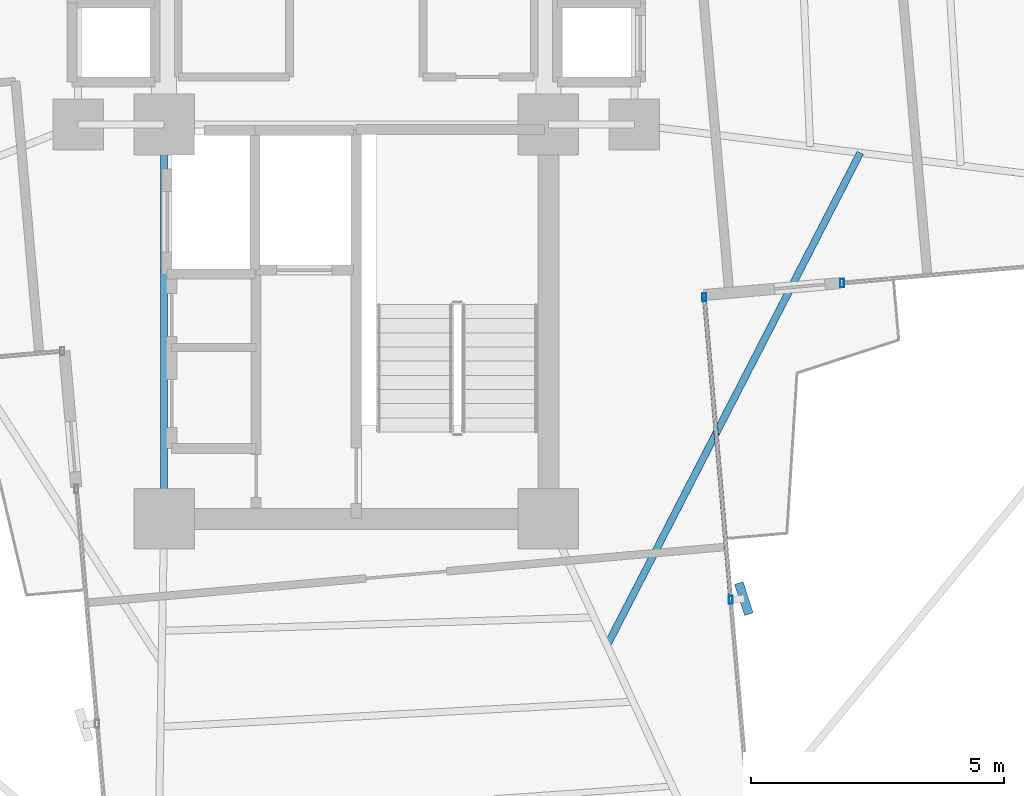
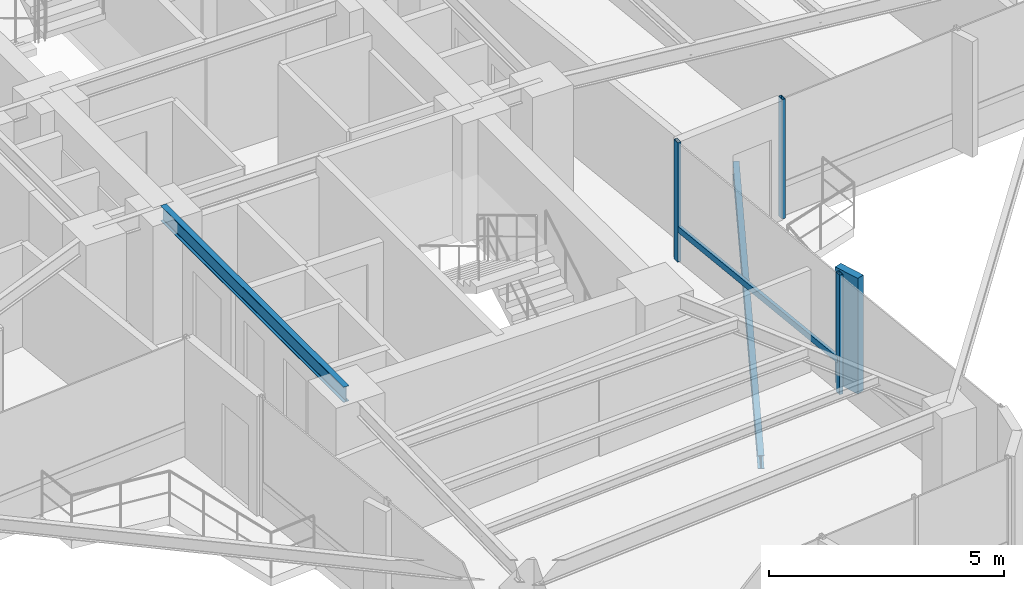
# One storey, part 7 of 24: 5 members, 2 beams, 2 elements without a shape of their own.
"""IFC4 building model written with IfcOpenShell, lengths in metres."""

from ifc_helpers import new_model, si_unit, direction, frame, origin, origin_2d, place, context, subcontext, project, spatial, rectangle, hollow_rectangle, i_section, extrude, source, transform, mapped, material, material_profile, profile_set, type_object, element, aggregate, save


model = new_model("IFC4")

# Units and contexts
model_context = context("Model", 3, precision=1e-05, world=origin(), true_north=direction((0.0, 1.0)))
body_context = subcontext(model_context, "Body", "Model", "MODEL_VIEW")
ifc_project = project(units=[si_unit("LENGTHUNIT", "METRE"), si_unit("AREAUNIT", "SQUARE_METRE"), si_unit("VOLUMEUNIT", "CUBIC_METRE"), si_unit("PLANEANGLEUNIT", "RADIAN"), si_unit("MASSUNIT", "GRAM", prefix="KILO")], contexts=[model_context])

# Site, building, storey
site_placement = place(None, origin())
site = spatial("IfcSite", under=ifc_project, at=site_placement, CompositionType="ELEMENT")
building_placement = place(site_placement, origin())
building = spatial("IfcBuilding", under=site, at=building_placement, Name="Sahyath Konkavel Grand Hotel", CompositionType="ELEMENT")
storey_placement = place(building_placement, frame((0.0, 0.0, 178.550048828125)))
storey = spatial("IfcBuildingStorey", under=building, at=storey_placement, Name="L49", CompositionType="ELEMENT", Elevation=178.550048828125)

# Beam
ifc_material_1 = material(Name="Steel E350", Category="steel")
ifc_material_profile_1 = material_profile(ifc_material_1, i_section(OverallWidth=0.139892578125, OverallDepth=0.39990234375, WebThickness=0.0087890625, FlangeThickness=0.01611328125, FilletRadius=0.013916015625, at=origin_2d()), Name="ISMB 400")
ifc_profile_set_1 = profile_set([ifc_material_profile_1], Name="Steel E350")
beam_type_1 = type_object("IfcBeamType", Name="BM-ISMB400", PredefinedType="BEAM", material=ifc_profile_set_1)
shared_shape_1 = source(origin(), body_context, "Body", "SweptSolid", [
    extrude(i_section(OverallWidth=0.139892578125, OverallDepth=0.39990234375, WebThickness=0.0087890625, FlangeThickness=0.01611328125, FilletRadius=0.013916015625, at=origin_2d()), origin(), (0.0, 0.0, 1.0), 7.800048828125),
])
beam_1_placement = place(storey_placement, frame((-3.800048828125, -10.199951171875, 2.909912109375), z_axis=(0.0, 1.0, 0.0), x_axis=(-1.0, 0.0, 0.0)))
element("IfcBeam", 1, at=beam_1_placement, inside=storey, type_object=beam_type_1, Name="str:bm:L49:SC-W", PredefinedType="BEAM", context=body_context, shape_type="MappedRepresentation", body=[
    mapped(shared_shape_1, transform((0.0, 0.0, 0.0), scale=1.0)),
])

# Curtain wall, member
ifc_material_2 = material(Name="Anodised Bronze Aluminium & Low-E Glazing", Category="aluminium")
curtain_wall_type = type_object("IfcCurtainWallType", Name="CW-ZONE3", PredefinedType="NOTDEFINED", material=ifc_material_2)
curtain_wall_1_placement = place(storey_placement, origin())
curtain_wall_1 = element("IfcCurtainWall", 2, at=curtain_wall_1_placement, inside=storey, type_object=curtain_wall_type, Name="L49 Unitised Curtain Wall F0", PredefinedType="NOTDEFINED")
ifc_material_3 = material(Name="Anodised Bronze Aluminium", Category="aluminium")
ifc_material_profile_2 = material_profile(ifc_material_3, hollow_rectangle(XDim=0.080078125, YDim=0.159912109375, WallThickness=0.006103515625, at=origin_2d()), Name="RHS 160x80x6")
ifc_profile_set_2 = profile_set([ifc_material_profile_2], Name="Anodised Bronze Aluminium")
member_type_1 = type_object("IfcMemberType", Name="CW-MUL-160", PredefinedType="MULLION", material=ifc_profile_set_2)
shared_shape_2 = source(origin(), body_context, "Body", "SweptSolid", [
    extrude(hollow_rectangle(XDim=0.080078125, YDim=0.159912109375, WallThickness=0.006103515625, at=origin_2d()), origin(), (0.0, 0.0, 1.0), 3.10986328125),
])
member_1_placement = place(storey_placement, frame((9.60888671875, -5.53369140625, 0.0), z_axis=(0.0, 0.0, 1.0), x_axis=(1.0, 0.0, 0.0)))
member_1 = element("IfcMember", 3, at=member_1_placement, type_object=member_type_1, Name="L49 Curtain Wall Mullion F0-0", PredefinedType="MULLION", context=body_context, shape_type="MappedRepresentation", body=[
    mapped(shared_shape_2, transform((0.0, 0.0, 0.0), scale=1.0)),
])
aggregate(curtain_wall_1, [member_1])

# Curtain wall, members
curtain_wall_2_placement = place(storey_placement, origin())
curtain_wall_2 = element("IfcCurtainWall", 4, at=curtain_wall_2_placement, inside=storey, type_object=curtain_wall_type, Name="L49 Unitised Curtain Wall F31", PredefinedType="NOTDEFINED")
member_2_placement = place(storey_placement, frame((7.406494140625, -11.79931640625, 0.0), z_axis=(0.0, 0.0, 1.0), x_axis=(1.0, 0.0, 0.0)))
member_2 = element("IfcMember", 5, at=member_2_placement, type_object=member_type_1, Name="L49 Curtain Wall Mullion F31-1", PredefinedType="MULLION", context=body_context, shape_type="MappedRepresentation", body=[
    mapped(shared_shape_2, transform((0.0, 0.0, 0.0), scale=1.0)),
])
member_3_placement = place(storey_placement, frame((6.8828125, -5.812255859375, 0.0), z_axis=(0.0, 0.0, 1.0), x_axis=(1.0, 0.0, 0.0)))
member_3 = element("IfcMember", 6, at=member_3_placement, type_object=member_type_1, Name="L49 Curtain Wall Mullion F31-2", PredefinedType="MULLION", context=body_context, shape_type="MappedRepresentation", body=[
    mapped(shared_shape_2, transform((0.0, 0.0, 0.0), scale=1.0)),
])
ifc_material_4 = material(Name="Warm Buff Sandstone Cladding on Concrete C50/60", Category="masonry")
ifc_material_profile_3 = material_profile(ifc_material_4, rectangle(XDim=0.179931640625, YDim=0.64990234375, at=origin_2d()), Name="FIN 180x650")
ifc_profile_set_3 = profile_set([ifc_material_profile_3], Name="Warm Buff Sandstone Cladding on Concrete C50/60")
member_type_2 = type_object("IfcMemberType", Name="FIN-SANDSTONE-650", PredefinedType="MULLION", material=ifc_profile_set_3)
shared_shape_3 = source(origin(), body_context, "Body", "SweptSolid", [
    extrude(rectangle(XDim=0.179931640625, YDim=0.64990234375, at=origin_2d()), origin(), (0.0, 0.0, 1.0), 3.010009765625),
])
member_4_placement = place(storey_placement, frame((7.66552734375, -11.776611328125, 0.050048828125), z_axis=(0.0, 0.0, 1.0), x_axis=(0.951487058208, 0.307688768178, 0.0)))
member_4 = element("IfcMember", 7, at=member_4_placement, type_object=member_type_2, Name="L49 Sandstone Vertical Solar Fin FIN F31-1", PredefinedType="MULLION", context=body_context, shape_type="MappedRepresentation", body=[
    mapped(shared_shape_3, transform((0.0, 0.0, 0.0), scale=1.0)),
])
ifc_material_profile_4 = material_profile(ifc_material_3, hollow_rectangle(XDim=0.080078125, YDim=0.159912109375, WallThickness=0.006103515625, at=origin_2d()), Name="RHS 160x80x6")
ifc_profile_set_4 = profile_set([ifc_material_profile_4], Name="Anodised Bronze Aluminium")
member_type_3 = type_object("IfcMemberType", Name="CW-TRN-160", PredefinedType="USERDEFINED", material=ifc_profile_set_4)
shared_shape_4 = source(origin(), body_context, "Body", "SweptSolid", [
    extrude(hollow_rectangle(XDim=0.080078125, YDim=0.159912109375, WallThickness=0.006103515625, at=origin_2d()), origin(), (0.0, 0.0, 1.0), 6.010009765625),
])
member_5_placement = place(storey_placement, frame((7.406494140625, -11.79931640625, 0.849853515625), z_axis=(-0.087136210597, 0.996196406741, 0.0), x_axis=(-0.996196406741, -0.087136210597, 0.0)))
member_5 = element("IfcMember", 8, at=member_5_placement, type_object=member_type_3, Name="L49 Curtain Wall Transom F31-1-spandrel", ObjectType="TRANSOM", PredefinedType="USERDEFINED", context=body_context, shape_type="MappedRepresentation", body=[
    mapped(shared_shape_4, transform((0.0, 0.0, 0.0), scale=1.0)),
])
aggregate(curtain_wall_2, [member_2, member_4, member_3, member_5])

# Beam
ifc_material_profile_5 = material_profile(ifc_material_1, i_section(OverallWidth=0.139892578125, OverallDepth=0.35009765625, WebThickness=0.008056640625, FlangeThickness=0.01416015625, FilletRadius=0.013916015625, at=origin_2d()), Name="ISMB 350")
ifc_profile_set_5 = profile_set([ifc_material_profile_5], Name="Steel E350")
beam_type_2 = type_object("IfcBeamType", Name="BM-BALC-CANT", PredefinedType="BEAM", material=ifc_profile_set_5)
shared_shape_5 = source(origin(), body_context, "Body", "SweptSolid", [
    extrude(i_section(OverallWidth=0.139892578125, OverallDepth=0.35009765625, WebThickness=0.008056640625, FlangeThickness=0.01416015625, FilletRadius=0.013916015625, at=origin_2d()), origin(), (0.0, 0.0, 1.0), 10.95556640625),
])
beam_2_placement = place(storey_placement, frame((4.959716796875, -12.703125, -0.4150390625), z_axis=(0.457186878355, 0.889370652912, 0.0), x_axis=(-0.889370652912, 0.457186878355, 0.0)))
element("IfcBeam", 9, at=beam_2_placement, inside=storey, type_object=beam_type_2, Name="L49 Balcony Cantilever Support Beam SE", PredefinedType="BEAM", context=body_context, shape_type="MappedRepresentation", body=[
    mapped(shared_shape_5, transform((0.0, 0.0, 0.0), scale=1.0)),
])

save(model, "model.ifc")
